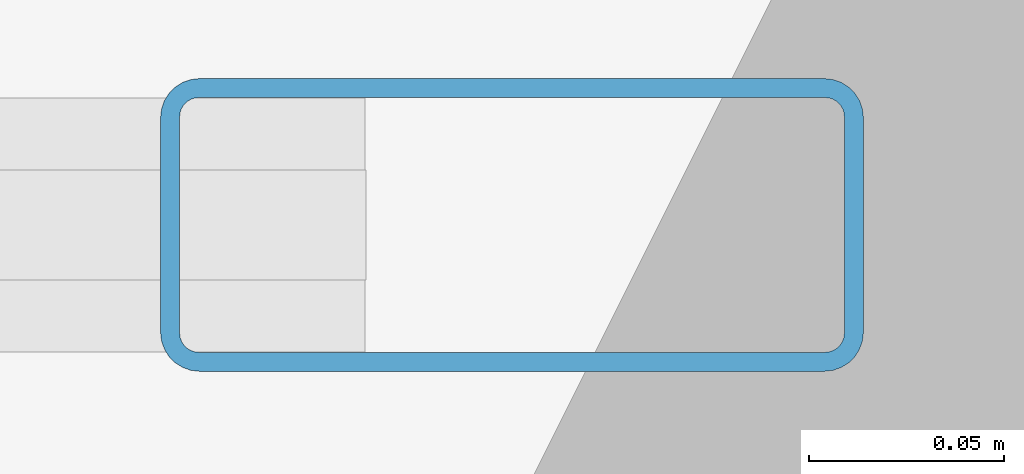
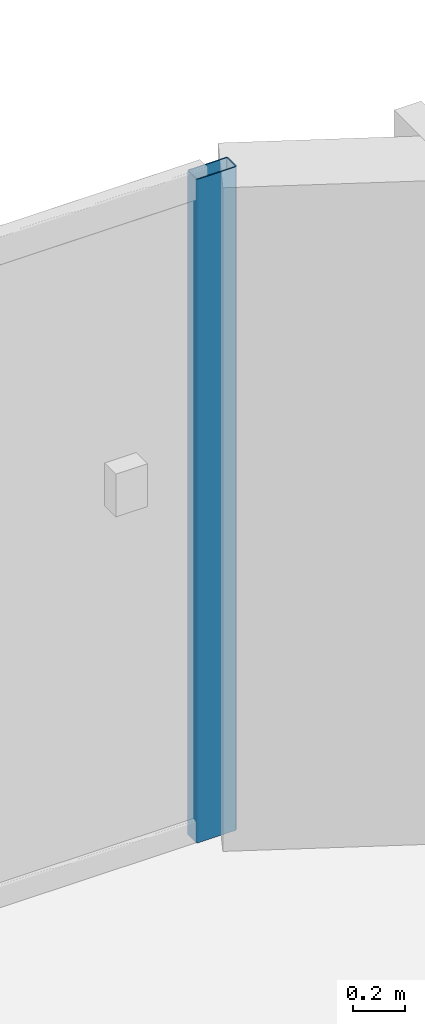
# One storey, part 8 of 21: 1 member, 1 element without a shape of its own.
"""IFC4 building model written with IfcOpenShell, lengths in metres."""

import ifcopenshell
import ifcopenshell.guid

model = None  # the IFC model being written
_history = None  # IfcOwnerHistory: only IFC2X3 demands one
_inside = {}  # id of a spatial element -> (the spatial element, [elements in it])
_under = {}  # id of a project, library or spatial element -> (it, [spatial elements below it])
_declared = {}  # id of a project -> (the project, [libraries it declares])
_typed = {}  # id of a type object -> (the type object, [elements of that type])
_made_of = {}  # id of a material, layer set ... -> (it, [elements and type objects made of it])


def new_model(schema):
    """Start an empty IFC model of exactly this schema.

    Asked for "IFC4X3", IfcOpenShell would pick the latest addendum, in which some entities
    have other attributes; the version numbers below select the first issue.
    IFC2X3 requires an IfcOwnerHistory on every rooted entity: one is made here for all.
    """
    global model, _history
    if schema == "IFC4X3":
        model = ifcopenshell.file(schema_version=(4, 3, 0, 0))
    else:
        model = ifcopenshell.file(schema=schema)
    _inside.clear()
    _under.clear()
    _declared.clear()
    _typed.clear()
    _made_of.clear()
    _history = None
    if model.schema == "IFC2X3":
        org = make("IfcOrganization", Name="unknown")
        user = make(
            "IfcPersonAndOrganization",
            ThePerson=make("IfcPerson", FamilyName="unknown"),
            TheOrganization=org,
        )
        app = make(
            "IfcApplication",
            ApplicationDeveloper=org,
            Version="unknown",
            ApplicationFullName="unknown",
            ApplicationIdentifier="unknown",
        )
        _history = make(
            "IfcOwnerHistory",
            OwningUser=user,
            OwningApplication=app,
            ChangeAction="ADDED",
            CreationDate=0,
        )
    return model


def make(cls, **values):
    """One entity of the class cls with the attributes given. An attribute that is None is left unset."""
    return model.create_entity(
        cls, **{name: value for name, value in values.items() if value is not None}
    )


def rooted(cls, **values):
    """An entity with a GlobalId (a new one), such as an element, a storey or a relation."""
    return make(cls, GlobalId=ifcopenshell.guid.new(), OwnerHistory=_history, **values)


def si_unit(unit_type, name, prefix=None):
    """IfcSIUnit, for example si_unit("LENGTHUNIT", "METRE", prefix="MILLI")."""
    return make("IfcSIUnit", UnitType=unit_type, Prefix=prefix, Name=name)


def assignment(units):
    """IfcUnitAssignment: the units of a project."""
    return None if units is None else make("IfcUnitAssignment", Units=units)


def point(xyz):
    """IfcCartesianPoint."""
    return None if xyz is None else make("IfcCartesianPoint", Coordinates=xyz)


def direction(xyz):
    """IfcDirection."""
    return None if xyz is None else make("IfcDirection", DirectionRatios=xyz)


def frame(location, z_axis=None, x_axis=None):
    """IfcAxis2Placement3D, a coordinate frame: its origin and axes. An axis left out is left unset."""
    return make(
        "IfcAxis2Placement3D",
        Location=point(location),
        Axis=direction(z_axis),
        RefDirection=direction(x_axis),
    )


def frame_2d(location, x_axis=None):
    """IfcAxis2Placement2D, a coordinate frame in the plane: its origin and x axis."""
    return make(
        "IfcAxis2Placement2D", Location=point(location), RefDirection=direction(x_axis)
    )


def origin():
    """The frame at (0, 0, 0) with its axes left unset."""
    return frame((0.0, 0.0, 0.0))


def origin_2d():
    """The frame at (0, 0) in the plane with its x axis left unset."""
    return frame_2d((0.0, 0.0))


def place(relative_to, where):
    """IfcLocalPlacement: puts the frame where relative to a parent placement (None: the world)."""
    return make(
        "IfcLocalPlacement", PlacementRelTo=relative_to, RelativePlacement=where
    )


def context(
    kind, dimensions, precision=None, world=None, true_north=None, identifier=None
):
    """IfcGeometricRepresentationContext, for example the 3D "Model" context."""
    return make(
        "IfcGeometricRepresentationContext",
        ContextIdentifier=identifier,
        ContextType=kind,
        CoordinateSpaceDimension=dimensions,
        Precision=precision,
        WorldCoordinateSystem=world,
        TrueNorth=true_north,
    )


def subcontext(parent, identifier, kind, view, scale=None):
    """IfcGeometricRepresentationSubContext, for example "Body" below "Model"."""
    return make(
        "IfcGeometricRepresentationSubContext",
        ContextIdentifier=identifier,
        ContextType=kind,
        ParentContext=parent,
        TargetScale=scale,
        TargetView=view,
    )


def project(units=None, contexts=None):
    """IfcProject with its units and contexts."""
    return rooted(
        "IfcProject",
        Name="project",
        RepresentationContexts=contexts,
        UnitsInContext=assignment(units),
    )


def spatial(cls, under=None, at=None, **own):
    """A site, building, storey or space (cls), placed at a placement, below another one or the project."""
    s = rooted(cls, ObjectPlacement=at, **own)
    if under is not None:
        _under.setdefault(under.id(), (under, []))[1].append(s)
    return s


def profile(cls, at=None, kind="AREA", **sizes):
    """A parametric profile (cls). Its sizes go by their IFC names, for example OverallWidth=200.0."""
    return make(cls, ProfileType=kind, Position=at, **sizes)


def hollow_rectangle(**sizes):
    """IfcRectangleHollowProfileDef."""
    return profile("IfcRectangleHollowProfileDef", **sizes)


def extrude(swept, where, along, depth):
    """IfcExtrudedAreaSolid: the profile swept, set in the frame where, extruded along a direction by depth."""
    return make(
        "IfcExtrudedAreaSolid",
        SweptArea=swept,
        Position=where,
        ExtrudedDirection=direction(along),
        Depth=depth,
    )


def shape(context_of_items, identifier, shape_type, items):
    """IfcShapeRepresentation: the items that make up one representation, for example the "Body"."""
    return make(
        "IfcShapeRepresentation",
        ContextOfItems=context_of_items,
        RepresentationIdentifier=identifier,
        RepresentationType=shape_type,
        Items=items,
    )


def material(Name=None, Category=None):
    """IfcMaterial."""
    return make("IfcMaterial", Name=Name, Category=Category)


def layer(
    of_material, thickness, ventilated=None, Name=None, Category=None, Priority=None
):
    """IfcMaterialLayer: one layer of a wall or slab, of a material (None: an air gap)."""
    return make(
        "IfcMaterialLayer",
        Material=of_material,
        LayerThickness=thickness,
        IsVentilated=ventilated,
        Name=Name,
        Category=Category,
        Priority=Priority,
    )


def layer_set(layers, Name=None):
    """IfcMaterialLayerSet."""
    return make("IfcMaterialLayerSet", MaterialLayers=layers, LayerSetName=Name)


def material_profile(
    of_material, cross_section, Name=None, Category=None, Priority=None
):
    """IfcMaterialProfile: a cross section and its material."""
    return make(
        "IfcMaterialProfile",
        Name=Name,
        Material=of_material,
        Profile=cross_section,
        Priority=Priority,
        Category=Category,
    )


def profile_set(profiles, Name=None, composite=None):
    """IfcMaterialProfileSet."""
    return make(
        "IfcMaterialProfileSet",
        Name=Name,
        MaterialProfiles=profiles,
        CompositeProfile=composite,
    )


def made_of(thing, what):
    """Note that an element or type object is made of a material, layer set ...; save() writes the relation."""
    if what is not None:
        _made_of.setdefault(what.id(), (what, []))[1].append(thing)
    return thing


def type_object(cls, material=None, **own):
    """A type object (cls), such as IfcWallType, which elements share."""
    return made_of(rooted(cls, **own), material)


def element(
    cls,
    number,
    at=None,
    inside=None,
    cuts=None,
    type_object=None,
    material=None,
    context=None,
    identifier="Body",
    shape_type=None,
    held_by="IfcProductDefinitionShape",
    body=None,
    shapes=None,
    **own,
):
    """One element of the class cls, such as IfcWall. Its Tag is "e" and its number.

    at: its placement. inside: the storey or other place that contains it. cuts: it is an
    opening in that element (IfcRelVoidsElement). A single representation is given by context,
    identifier, shape_type and body (its items); several are given by shapes. held_by: the class
    of the entity that holds the representations. save() writes the other relations.
    """
    e = rooted(cls, Tag="e%d" % number, ObjectPlacement=at, **own)
    if body is not None:
        shapes = [shape(context, identifier, shape_type, body)]
    if shapes is not None:
        e.Representation = make(held_by, Representations=shapes)
    if inside is not None:
        _inside.setdefault(inside.id(), (inside, []))[1].append(e)
    if cuts is not None:
        rooted(
            "IfcRelVoidsElement", RelatingBuildingElement=cuts, RelatedOpeningElement=e
        )
    if type_object is not None:
        _typed.setdefault(type_object.id(), (type_object, []))[1].append(e)
    return made_of(e, material)


def aggregate(whole, parts):
    """IfcRelAggregates: a whole, such as a stair, and the parts it consists of."""
    return rooted("IfcRelAggregates", RelatingObject=whole, RelatedObjects=parts)


def save(model, path):
    """Write the relations noted so far, then the file.

    IfcRelAggregates (storeys below a building ...), IfcRelContainedInSpatialStructure (elements
    in a storey), IfcRelDefinesByType, IfcRelAssociatesMaterial and IfcRelDeclares: one each for
    every whole, place, type object, material and project.
    """
    for whole, parts in _under.values():
        aggregate(whole, parts)
    for where, things in _inside.values():
        rooted(
            "IfcRelContainedInSpatialStructure",
            RelatedElements=things,
            RelatingStructure=where,
        )
    for kind, things in _typed.values():
        rooted("IfcRelDefinesByType", RelatedObjects=things, RelatingType=kind)
    for what, things in _made_of.values():
        rooted("IfcRelAssociatesMaterial", RelatedObjects=things, RelatingMaterial=what)
    for by, libraries in _declared.values():
        rooted("IfcRelDeclares", RelatingContext=by, RelatedDefinitions=libraries)
    model.write(path)


model = new_model("IFC4")

# Units and contexts
model_context = context("Model", 3, precision=1e-05, world=origin(), true_north=direction((0.0, 1.0)))
body_context = subcontext(model_context, "Body", "Model", "MODEL_VIEW")
ifc_project = project(units=[si_unit("LENGTHUNIT", "METRE"), si_unit("AREAUNIT", "SQUARE_METRE"), si_unit("VOLUMEUNIT", "CUBIC_METRE"), si_unit("PLANEANGLEUNIT", "RADIAN"), si_unit("MASSUNIT", "GRAM", prefix="KILO")], contexts=[model_context])

# Site, building, storey
site_placement = place(None, origin())
site = spatial("IfcSite", under=ifc_project, at=site_placement, CompositionType="ELEMENT")
building_placement = place(site_placement, origin())
building = spatial("IfcBuilding", under=site, at=building_placement, Name="Tarnavaz Court Tower", CompositionType="ELEMENT")
storey_placement = place(building_placement, frame((0.0, 0.0, 47.449951171875)))
storey = spatial("IfcBuildingStorey", under=building, at=storey_placement, Name="L12", CompositionType="ELEMENT", Elevation=47.449951171875)

# Curtain wall, member
ifc_material_1 = material(Name="Anodised Aluminium 6063-T6 and Solar Low-E Glazing", Category="aluminium")
ifc_layer = layer(ifc_material_1, 0.179931640625)
ifc_layer_set = layer_set([ifc_layer], Name="Anodised Aluminium 6063-T6 and Solar Low-E Glazing")
curtain_wall_type = type_object("IfcCurtainWallType", Name="CW-SYS-02", PredefinedType="NOTDEFINED", material=ifc_layer_set)
curtain_wall_placement = place(storey_placement, origin())
curtain_wall = element("IfcCurtainWall", 1, at=curtain_wall_placement, inside=storey, type_object=curtain_wall_type, Name="L12 Iwan Prow Curtain Wall 7", PredefinedType="NOTDEFINED")
ifc_material_2 = material(Name="Anodised Aluminium 6063-T6", Category="aluminium")
ifc_material_profile = material_profile(ifc_material_2, hollow_rectangle(XDim=0.074951171875, YDim=0.179931640625, WallThickness=0.0048828125, InnerFilletRadius=0.0048828125, OuterFilletRadius=0.010009765625, at=origin_2d()), Name="ALU RHS 180X75X5")
ifc_profile_set = profile_set([ifc_material_profile], Name="Anodised Aluminium 6063-T6")
member_type = type_object("IfcMemberType", Name="CW-MUL-180", PredefinedType="MULLION", material=ifc_profile_set)
member_placement = place(storey_placement, frame((4.3125, 25.050048828125, 0.0), z_axis=(0.0, 0.0, 1.0), x_axis=(0.0, 1.0, 0.0)))
member = element("IfcMember", 2, at=member_placement, type_object=member_type, Name="CW mullion 4", PredefinedType="MULLION", context=body_context, shape_type="SweptSolid", body=[
    extrude(hollow_rectangle(XDim=0.074951171875, YDim=0.179931640625, WallThickness=0.0048828125, InnerFilletRadius=0.0048828125, OuterFilletRadius=0.010009765625, at=origin_2d()), origin(), (0.0, 0.0, 1.0), 3.10009765625),
])
aggregate(curtain_wall, [member])

save(model, "model.ifc")
